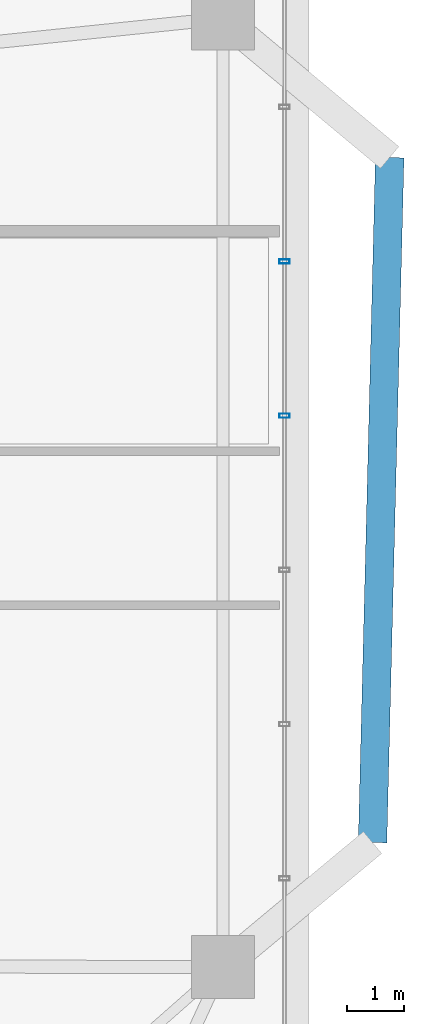
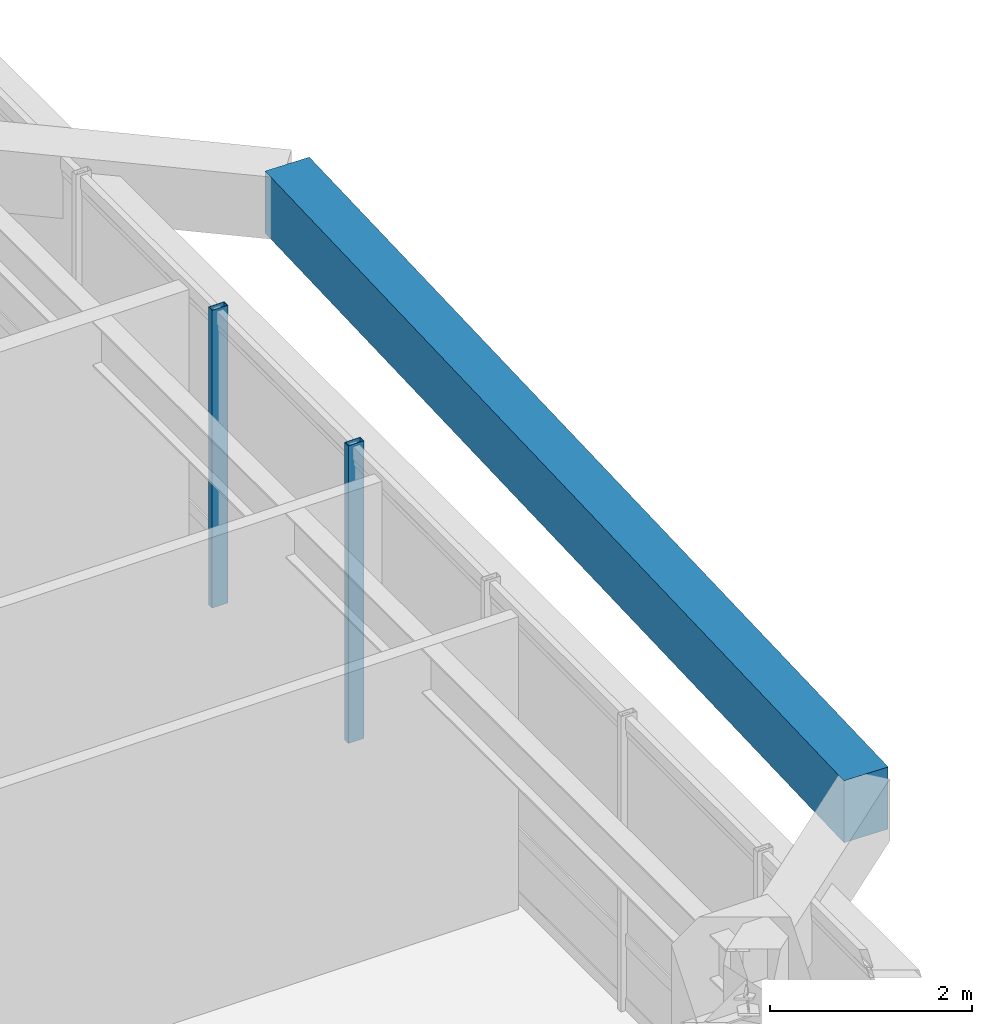
# One storey, part 4 of 13: 2 members, 1 beam, 1 element without a shape of its own.
"""IFC4 building model written with IfcOpenShell, lengths in metres."""

from ifc_helpers import new_model, si_unit, direction, frame, origin, origin_2d, place, context, subcontext, project, spatial, rectangle, hollow_rectangle, extrude, material, material_profile, profile_set, type_object, element, aggregate, save


model = new_model("IFC4")

# Units and contexts
model_context = context("Model", 3, precision=1e-05, world=origin(), true_north=direction((0.0, 1.0)))
body_context = subcontext(model_context, "Body", "Model", "MODEL_VIEW")
ifc_project = project(units=[si_unit("LENGTHUNIT", "METRE"), si_unit("AREAUNIT", "SQUARE_METRE"), si_unit("VOLUMEUNIT", "CUBIC_METRE"), si_unit("PLANEANGLEUNIT", "RADIAN"), si_unit("MASSUNIT", "GRAM", prefix="KILO")], contexts=[model_context])

# Site, building, storey
site_placement = place(None, origin())
site = spatial("IfcSite", under=ifc_project, at=site_placement, CompositionType="ELEMENT")
building_placement = place(site_placement, origin())
building = spatial("IfcBuilding", under=site, at=building_placement, Name="Zulverin Broadcast Headquarters", CompositionType="ELEMENT")
storey_placement = place(building_placement, frame((0.0, 0.0, 155.39990234375)))
storey = spatial("IfcBuildingStorey", under=building, at=storey_placement, Name="L39", CompositionType="ELEMENT", Elevation=155.39990234375)

# Beam
ifc_material_1 = material(Name="Concrete C40/50", Category="concrete")
ifc_material_profile_1 = material_profile(ifc_material_1, rectangle(XDim=0.5, YDim=0.75, at=origin_2d()), Name="Concrete C40/50", Category="concrete")
ifc_profile_set_1 = profile_set([ifc_material_profile_1], Name="Concrete C40/50")
beam_type = type_object("IfcBeamType", Name="BM-RC-500x750", PredefinedType="BEAM", material=ifc_profile_set_1)
beam_placement = place(storey_placement, frame((63.219970703125, 19.701171875, 3.1650390625), z_axis=(0.025020166122, 0.999686946642, 0.0), x_axis=(-0.999686946642, 0.025020166122, 0.0)))
element("IfcBeam", 1, at=beam_placement, inside=storey, type_object=beam_type, Name="L40 Balcony Outer Edge Trimmer Beam BAL_E", PredefinedType="BEAM", context=body_context, shape_type="SweptSolid", body=[
    extrude(rectangle(XDim=0.5, YDim=0.75, at=origin_2d()), origin(), (0.0, 0.0, 1.0), 11.9921875),
])

# Curtain wall, members
ifc_material_2 = material(Name="Waist wind-pressure unitised curtain wall", Category="aluminium")
curtain_wall_type = type_object("IfcCurtainWallType", Name="CW-TWR-WST", PredefinedType="USERDEFINED", material=ifc_material_2)
curtain_wall_placement = place(storey_placement, origin())
curtain_wall = element("IfcCurtainWall", 2, at=curtain_wall_placement, inside=storey, type_object=curtain_wall_type, Name="L39 Unitised Curtain Wall CW-L39-E3", ObjectType="UNITISED CURTAIN WALL", PredefinedType="USERDEFINED")
ifc_material_3 = material(Name="Anodized pale-metal aluminium alloy 6063-T6", Category="aluminium")
ifc_material_profile_2 = material_profile(ifc_material_3, hollow_rectangle(XDim=0.074951171875, YDim=0.179931640625, WallThickness=0.0048828125, at=origin_2d()), Name="Anodized pale-metal aluminium alloy 6063-T6", Category="aluminium")
ifc_profile_set_2 = profile_set([ifc_material_profile_2], Name="Anodized pale-metal aluminium alloy 6063-T6")
member_type = type_object("IfcMemberType", Name="CW-MUL-180", PredefinedType="MULLION", material=ifc_profile_set_2)
member_1_placement = place(storey_placement, frame((61.679931640625, 27.170654296875, -0.02978515625), z_axis=(0.0, 0.0, 1.0), x_axis=(0.0, 1.0, 0.0)))
member_1 = element("IfcMember", 3, at=member_1_placement, type_object=member_type, Name="CW-L39-E3 Mullion 04", PredefinedType="MULLION", context=body_context, shape_type="SweptSolid", body=[
    extrude(hollow_rectangle(XDim=0.074951171875, YDim=0.179931640625, WallThickness=0.0048828125, at=origin_2d()), origin(), (0.0, 0.0, 1.0), 3.599853515625),
])
member_2_placement = place(storey_placement, frame((61.679931640625, 29.870849609375, -0.02978515625), z_axis=(0.0, 0.0, 1.0), x_axis=(0.0, 1.0, 0.0)))
member_2 = element("IfcMember", 4, at=member_2_placement, type_object=member_type, Name="CW-L39-E3 Mullion 05", PredefinedType="MULLION", context=body_context, shape_type="SweptSolid", body=[
    extrude(hollow_rectangle(XDim=0.074951171875, YDim=0.179931640625, WallThickness=0.0048828125, at=origin_2d()), origin(), (0.0, 0.0, 1.0), 3.599853515625),
])
aggregate(curtain_wall, [member_1, member_2])

save(model, "model.ifc")
